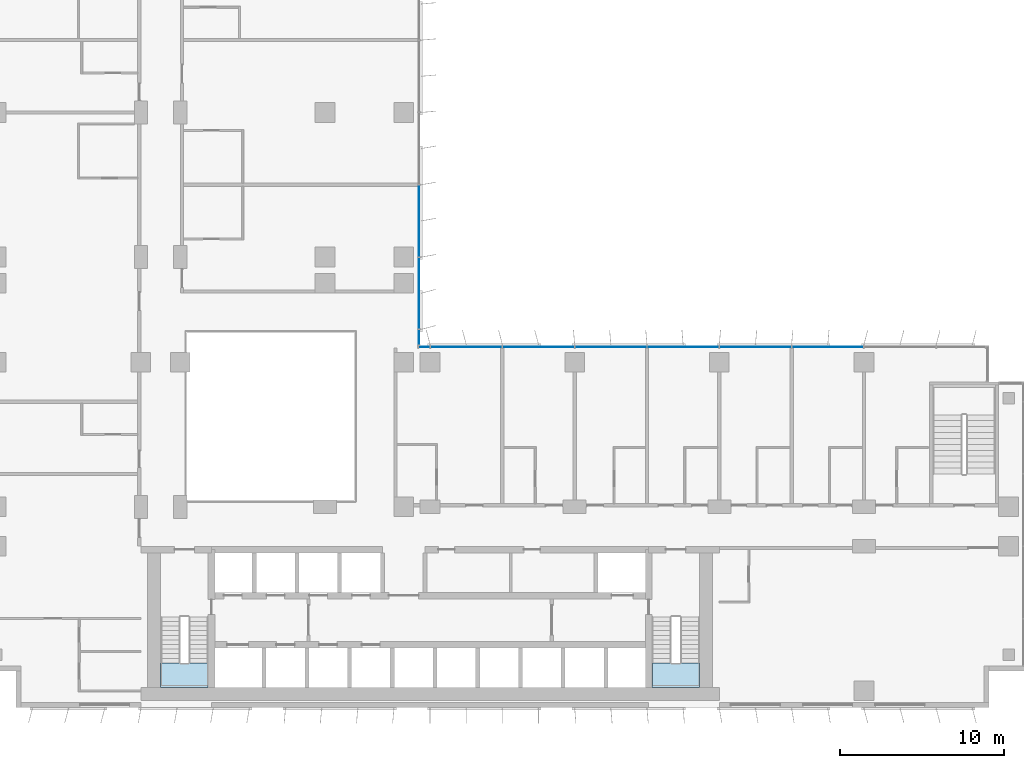
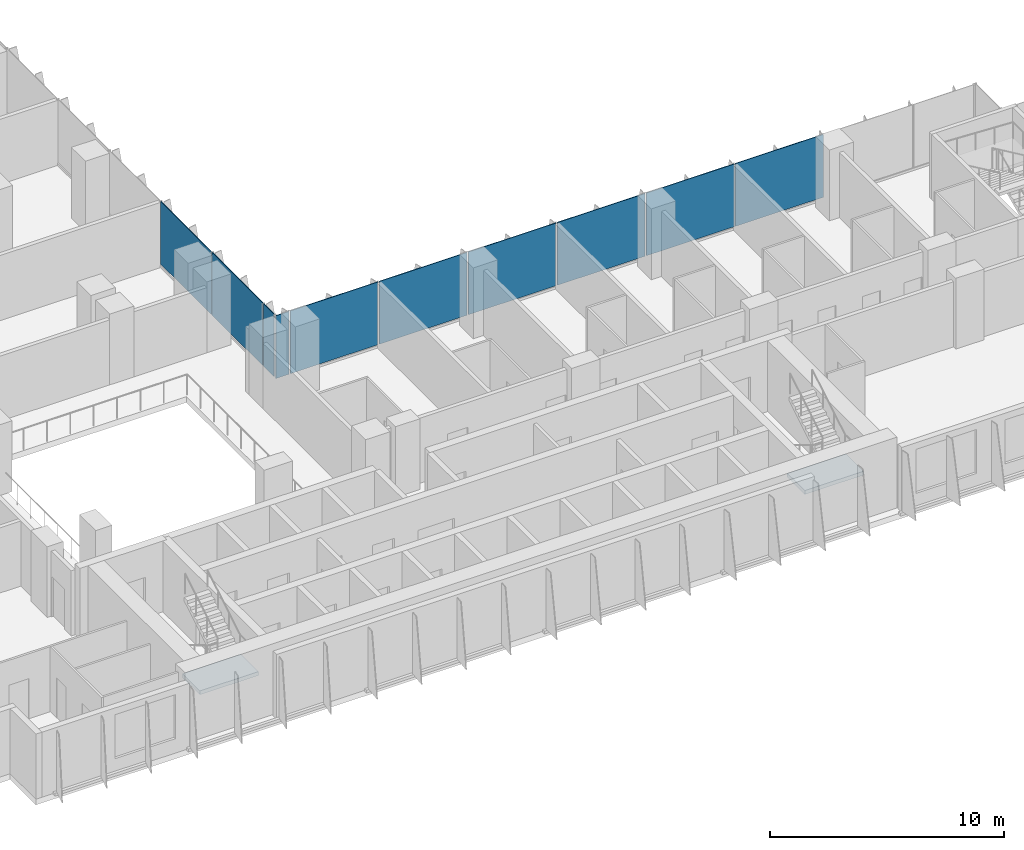
# One storey, part 10 of 22: 10 plates, 2 slabs, 4 elements without a shape of their own.
"""IFC4 building model written with IfcOpenShell, lengths in metres."""

from ifc_helpers import new_model, si_unit, direction, frame, origin, origin_2d, place, context, subcontext, project, spatial, polyline, rectangle, outline, extrude, source, transform, mapped, material, layer, layer_set, type_object, element, aggregate, save


model = new_model("IFC4")

# Units and contexts
model_context = context("Model", 3, precision=1e-05, world=origin(), true_north=direction((0.0, 1.0)))
body_context = subcontext(model_context, "Body", "Model", "MODEL_VIEW")
ifc_project = project(units=[si_unit("LENGTHUNIT", "METRE"), si_unit("AREAUNIT", "SQUARE_METRE"), si_unit("VOLUMEUNIT", "CUBIC_METRE"), si_unit("PLANEANGLEUNIT", "RADIAN"), si_unit("MASSUNIT", "GRAM", prefix="KILO")], contexts=[model_context])

# Site, building, storey
site_placement = place(None, origin())
site = spatial("IfcSite", under=ifc_project, at=site_placement, CompositionType="ELEMENT")
building_placement = place(site_placement, origin())
building = spatial("IfcBuilding", under=site, at=building_placement, Name="Kemantara Hotel Tower", CompositionType="ELEMENT")
storey_placement = place(building_placement, frame((0.0, 0.0, 107.39990234375)))
storey = spatial("IfcBuildingStorey", under=building, at=storey_placement, Name="L25", CompositionType="ELEMENT", Elevation=107.39990234375)

# Stair, slab
ifc_material_1 = material(Name="Concrete fc 40 MPa", Category="concrete")
stair_type = type_object("IfcStairType", Name="Stair 1200 wide 22 risers of 168 x 280 mm", PredefinedType="HALF_TURN_STAIR", material=ifc_material_1)
stair_1_placement = place(storey_placement, origin())
stair_1 = element("IfcStair", 1, at=stair_1_placement, inside=storey, type_object=stair_type, Name="L25 Exit stair ST1", PredefinedType="HALF_TURN_STAIR")
ifc_layer_1 = layer(ifc_material_1, 0.199951171875)
ifc_layer_set_1 = layer_set([ifc_layer_1], Name="Concrete fc 40 MPa")
slab_type = type_object("IfcSlabType", Name="Stair landing 200 mm", PredefinedType="LANDING", material=ifc_layer_set_1)
slab_1_placement = place(storey_placement, frame((0.0, 0.0, 1.650146484375)))
slab_1 = element("IfcSlab", 2, at=slab_1_placement, type_object=slab_type, Name="ST1 landing 1", PredefinedType="LANDING", context=body_context, shape_type="SweptSolid", body=[
    extrude(outline(polyline([(11.0, 2.699951171875), (11.0, 1.199951171875), (13.89990234375, 1.199951171875), (13.89990234375, 2.699951171875), (11.0, 2.699951171875)])), origin(), (0.0, 0.0, 1.0), 0.199951171875),
])
aggregate(stair_1, [slab_1])

stair_2_placement = place(storey_placement, origin())
stair_2 = element("IfcStair", 3, at=stair_2_placement, inside=storey, type_object=stair_type, Name="L25 Exit stair ST2", PredefinedType="HALF_TURN_STAIR")
slab_2_placement = place(storey_placement, frame((0.0, 0.0, 1.650146484375)))
slab_2 = element("IfcSlab", 4, at=slab_2_placement, type_object=slab_type, Name="ST2 landing 1", PredefinedType="LANDING", context=body_context, shape_type="SweptSolid", body=[
    extrude(outline(polyline([(40.89990234375, 2.699951171875), (40.89990234375, 1.199951171875), (43.800048828125, 1.199951171875), (43.800048828125, 2.699951171875), (40.89990234375, 2.699951171875)])), origin(), (0.0, 0.0, 1.0), 0.199951171875),
])
aggregate(stair_2, [slab_2])

# Curtain wall, plates
ifc_material_2 = material(Name="Low-E tinted double insulated glass 36 mm", Category="glass")
curtain_wall_type = type_object("IfcCurtainWallType", Name="TOWER CURTAIN WALL, FRONT FACES", PredefinedType="USERDEFINED", material=ifc_material_2)
curtain_wall_1_placement = place(storey_placement, origin())
curtain_wall_1 = element("IfcCurtainWall", 5, at=curtain_wall_1_placement, inside=storey, type_object=curtain_wall_type, Name="CW4 L25 T2-R13-1", ObjectType="TOWER CURTAIN WALL, FRONT FACES", PredefinedType="USERDEFINED")
ifc_layer_2 = layer(ifc_material_2, 0.035888671875)
ifc_layer_set_2 = layer_set([ifc_layer_2], Name="Low-E tinted double insulated glass 36 mm")
plate_type = type_object("IfcPlateType", Name="TOWER CURTAIN WALL, FRONT FACES PANEL", PredefinedType="CURTAIN_PANEL", material=ifc_layer_set_2)
shared_shape_1 = source(origin(), body_context, "Body", "SweptSolid", [
    extrude(rectangle(XDim=4.340087890625, YDim=0.035888671875, at=origin_2d()), origin(), (0.0, 0.0, 1.0), 3.280029296875),
])
plate_1_placement = place(storey_placement, frame((51.60009765625, 21.925048828125, 0.1201171875), z_axis=(0.0, 0.0, 1.0), x_axis=(-1.0, 0.0, 0.0)))
plate_1 = element("IfcPlate", 6, at=plate_1_placement, type_object=plate_type, Name="CW4 glass panel T2-R13-1.3", PredefinedType="CURTAIN_PANEL", context=body_context, shape_type="MappedRepresentation", body=[
    mapped(shared_shape_1, transform((0.0, 0.0, 0.0))),
])
plate_2_placement = place(storey_placement, frame((47.199951171875, 21.925048828125, 0.1201171875), z_axis=(0.0, 0.0, 1.0), x_axis=(-1.0, 0.0, 0.0)))
plate_2 = element("IfcPlate", 7, at=plate_2_placement, type_object=plate_type, Name="CW4 glass panel T2-R13-1.4", PredefinedType="CURTAIN_PANEL", context=body_context, shape_type="MappedRepresentation", body=[
    mapped(shared_shape_1, transform((0.0, 0.0, 0.0))),
])
plate_3_placement = place(storey_placement, frame((42.800048828125, 21.925048828125, 0.1201171875), z_axis=(0.0, 0.0, 1.0), x_axis=(-1.0, 0.0, 0.0)))
plate_3 = element("IfcPlate", 8, at=plate_3_placement, type_object=plate_type, Name="CW4 glass panel T2-R13-1.5", PredefinedType="CURTAIN_PANEL", context=body_context, shape_type="MappedRepresentation", body=[
    mapped(shared_shape_1, transform((0.0, 0.0, 0.0))),
])
plate_4_placement = place(storey_placement, frame((38.39990234375, 21.925048828125, 0.1201171875), z_axis=(0.0, 0.0, 1.0), x_axis=(-1.0, 0.0, 0.0)))
plate_4 = element("IfcPlate", 9, at=plate_4_placement, type_object=plate_type, Name="CW4 glass panel T2-R13-1.6", PredefinedType="CURTAIN_PANEL", context=body_context, shape_type="MappedRepresentation", body=[
    mapped(shared_shape_1, transform((0.0, 0.0, 0.0))),
])
plate_5_placement = place(storey_placement, frame((34.0, 21.925048828125, 0.1201171875), z_axis=(0.0, 0.0, 1.0), x_axis=(-1.0, 0.0, 0.0)))
plate_5 = element("IfcPlate", 10, at=plate_5_placement, type_object=plate_type, Name="CW4 glass panel T2-R13-1.7", PredefinedType="CURTAIN_PANEL", context=body_context, shape_type="MappedRepresentation", body=[
    mapped(shared_shape_1, transform((0.0, 0.0, 0.0))),
])
plate_6_placement = place(storey_placement, frame((29.60009765625, 21.925048828125, 0.1201171875), z_axis=(0.0, 0.0, 1.0), x_axis=(-1.0, 0.0, 0.0)))
plate_6 = element("IfcPlate", 11, at=plate_6_placement, type_object=plate_type, Name="CW4 glass panel T2-R13-1.8", PredefinedType="CURTAIN_PANEL", context=body_context, shape_type="MappedRepresentation", body=[
    mapped(shared_shape_1, transform((0.0, 0.0, 0.0))),
])

curtain_wall_2_placement = place(storey_placement, origin())
curtain_wall_2 = element("IfcCurtainWall", 12, at=curtain_wall_2_placement, inside=storey, type_object=curtain_wall_type, Name="CW4 L25 T2-R14-1", ObjectType="TOWER CURTAIN WALL, FRONT FACES", PredefinedType="USERDEFINED")
plate_7_placement = place(storey_placement, frame((26.72509765625, 25.199951171875, 0.1201171875), z_axis=(0.0, 0.0, 1.0), x_axis=(0.0, 1.0, 0.0)))
plate_7 = element("IfcPlate", 13, at=plate_7_placement, type_object=plate_type, Name="CW4 glass panel T2-R14-1.2", PredefinedType="CURTAIN_PANEL", context=body_context, shape_type="MappedRepresentation", body=[
    mapped(shared_shape_1, transform((0.0, 0.0, 0.0))),
])
plate_8_placement = place(storey_placement, frame((26.72509765625, 29.60009765625, 0.1201171875), z_axis=(0.0, 0.0, 1.0), x_axis=(0.0, 1.0, 0.0)))
plate_8 = element("IfcPlate", 14, at=plate_8_placement, type_object=plate_type, Name="CW4 glass panel T2-R14-1.3", PredefinedType="CURTAIN_PANEL", context=body_context, shape_type="MappedRepresentation", body=[
    mapped(shared_shape_1, transform((0.0, 0.0, 0.0))),
])

# Plate
shared_shape_2 = source(origin(), body_context, "Body", "SweptSolid", [
    extrude(rectangle(XDim=0.659912109375, YDim=0.035888671875, at=origin_2d()), origin(), (0.0, 0.0, 1.0), 3.280029296875),
])
plate_9_placement = place(storey_placement, frame((27.0400390625, 21.925048828125, 0.1201171875), z_axis=(0.0, 0.0, 1.0), x_axis=(-1.0, 0.0, 0.0)))
plate_9 = element("IfcPlate", 15, at=plate_9_placement, type_object=plate_type, Name="CW4 glass panel T2-R13-1.9", PredefinedType="CURTAIN_PANEL", context=body_context, shape_type="MappedRepresentation", body=[
    mapped(shared_shape_2, transform((0.0, 0.0, 0.0))),
])

aggregate(curtain_wall_1, [plate_1, plate_2, plate_3, plate_4, plate_5, plate_6, plate_9])

shared_shape_3 = source(origin(), body_context, "Body", "SweptSolid", [
    extrude(rectangle(XDim=0.909912109375, YDim=0.035888671875, at=origin_2d()), origin(), (0.0, 0.0, 1.0), 3.280029296875),
])
plate_10_placement = place(storey_placement, frame((26.72509765625, 22.514892578125, 0.1201171875), z_axis=(0.0, 0.0, 1.0), x_axis=(0.0, 1.0, 0.0)))
plate_10 = element("IfcPlate", 16, at=plate_10_placement, type_object=plate_type, Name="CW4 glass panel T2-R14-1.1", PredefinedType="CURTAIN_PANEL", context=body_context, shape_type="MappedRepresentation", body=[
    mapped(shared_shape_3, transform((0.0, 0.0, 0.0))),
])

aggregate(curtain_wall_2, [plate_10, plate_7, plate_8])

save(model, "model.ifc")
